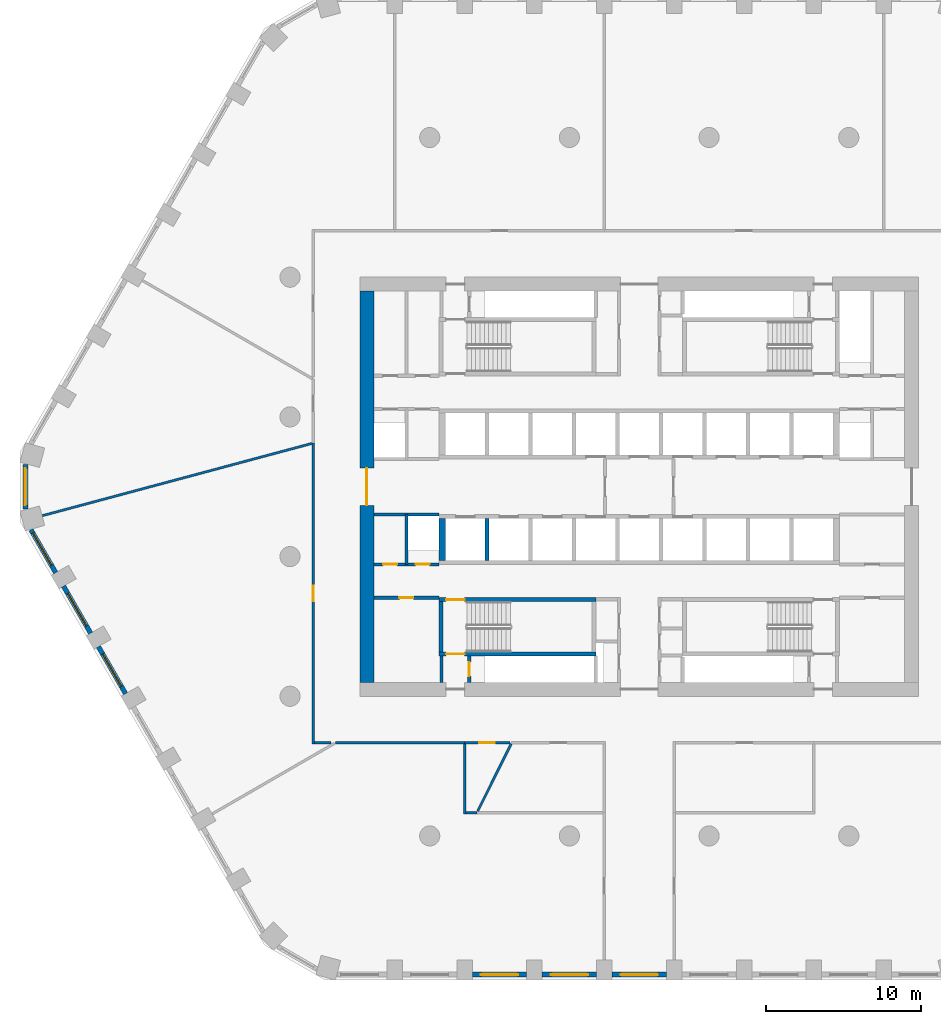
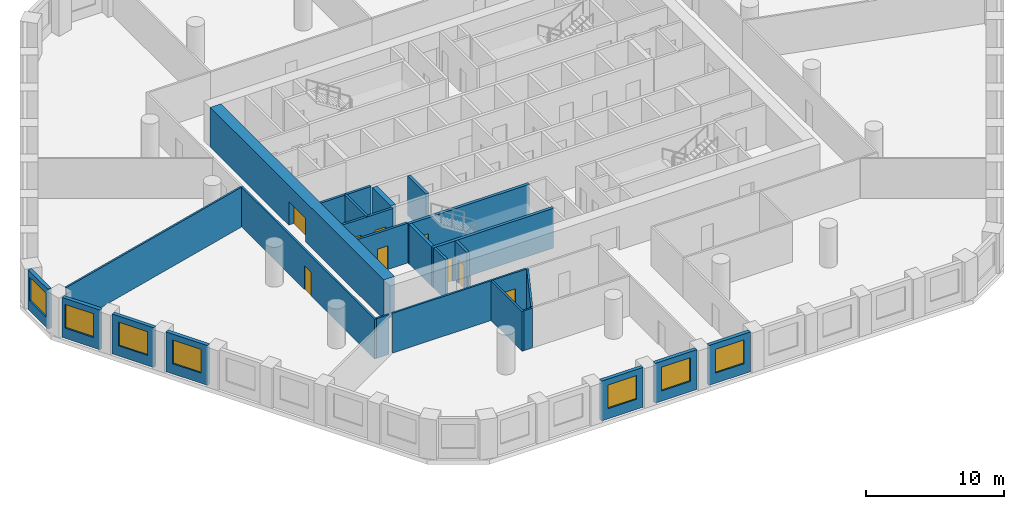
# One storey, part 2 of 9: 27 walls, 9 doors, 7 windows, 16 openings.
"""IFC4 building model written with IfcOpenShell, lengths in metres."""

from ifc_helpers import new_model, si_unit, direction, frame, frame_2d, origin, place, context, subcontext, project, spatial, polyline, rectangle, outline, extrude, material, layer, layer_set, type_object, element, fill, save


model = new_model("IFC4")

# Units and contexts
model_context = context("Model", 3, precision=1e-05, world=origin(), true_north=direction((0.0, 1.0)))
body_context = subcontext(model_context, "Body", "Model", "MODEL_VIEW")
ifc_project = project(units=[si_unit("LENGTHUNIT", "METRE"), si_unit("AREAUNIT", "SQUARE_METRE"), si_unit("VOLUMEUNIT", "CUBIC_METRE"), si_unit("PLANEANGLEUNIT", "RADIAN"), si_unit("MASSUNIT", "GRAM", prefix="KILO")], contexts=[model_context])

# Site, building, storey
site_placement = place(None, origin())
site = spatial("IfcSite", under=ifc_project, at=site_placement, CompositionType="ELEMENT")
building_placement = place(site_placement, origin())
building = spatial("IfcBuilding", under=site, at=building_placement, Name="Dhurran Vertical Campus", CompositionType="ELEMENT")
storey_placement = place(building_placement, frame((0.0, 0.0, 120.300048828125)))
storey = spatial("IfcBuildingStorey", under=building, at=storey_placement, Name="L29", CompositionType="ELEMENT", Elevation=120.300048828125)

# Wall, opening, window
ifc_material_1 = material(Name="Precast concrete C50/60", Category="concrete")
ifc_layer_1 = layer(ifc_material_1, 0.300048828125)
ifc_layer_set_1 = layer_set([ifc_layer_1], Name="Precast concrete C50/60")
wall_type_1 = type_object("IfcWallType", Name="Precast spandrel wall 300", PredefinedType="SOLIDWALL", material=ifc_layer_set_1)
wall_1_placement = place(storey_placement, frame((-10.74951171875, -31.4296875, 0.0), z_axis=(0.0, 0.0, 1.0), x_axis=(1.0, 0.0, 0.0)))
wall_1 = element("IfcWall", 1, at=wall_1_placement, inside=storey, type_object=wall_type_1, Name="EW1 L29.02", PredefinedType="SOLIDWALL", context=body_context, shape_type="SweptSolid", body=[
    extrude(rectangle(XDim=3.4990234375, YDim=0.300048828125, at=frame_2d((1.74951171875, 0.0))), origin(), (0.0, 0.0, 1.0), 3.52490234375),
])
opening_1_placement = place(wall_1_placement, frame((0.549560546875, 0.0, 0.89990234375)))
opening_1 = element("IfcOpeningElement", 2, at=opening_1_placement, cuts=wall_1, Name="Opening WT1", PredefinedType="OPENING", context=body_context, shape_type="SweptSolid", body=[
    extrude(rectangle(XDim=2.39990234375, YDim=2.10009765625, at=frame_2d((1.199951171875, 1.050048828125))), frame((0.0, 0.159912109375, 0.0), z_axis=(0.0, -1.0, 0.0), x_axis=(1.0, 0.0, 0.0)), (0.0, 0.0, 1.0), 0.320068359375),
])
ifc_material_2 = material(Name="Aluminium frame with solar-control glass", Category="aluminium")
window_type = type_object("IfcWindowType", Name="Punched window 2400 x 2100", PartitioningType="SINGLE_PANEL", PredefinedType="WINDOW", material=ifc_material_2)
window_1_placement = place(opening_1_placement, origin())
window_1 = element("IfcWindow", 3, at=window_1_placement, inside=storey, type_object=window_type, Name="WT1 L29.02", OverallHeight=2.10009765625, OverallWidth=2.39990234375, PartitioningType="SINGLE_PANEL", PredefinedType="WINDOW", context=body_context, shape_type="SweptSolid", body=[
    extrude(rectangle(XDim=2.39990234375, YDim=2.10009765625, at=frame_2d((1.199951171875, 1.050048828125))), frame((0.0, 0.030029296875, 0.0), z_axis=(0.0, -1.0, 0.0), x_axis=(1.0, 0.0, 0.0)), (0.0, 0.0, 1.0), 0.06005859375),
])
fill(opening_1, window_1)

wall_2_placement = place(storey_placement, frame((-6.24951171875, -31.4296875, 0.0), z_axis=(0.0, 0.0, 1.0), x_axis=(1.0, 0.0, 0.0)))
wall_2 = element("IfcWall", 4, at=wall_2_placement, inside=storey, type_object=wall_type_1, Name="EW1 L29.03", PredefinedType="SOLIDWALL", context=body_context, shape_type="SweptSolid", body=[
    extrude(rectangle(XDim=3.4990234375, YDim=0.300048828125, at=frame_2d((1.74951171875, 0.0))), origin(), (0.0, 0.0, 1.0), 3.52490234375),
])
opening_2_placement = place(wall_2_placement, frame((0.549560546875, 0.0, 0.89990234375)))
opening_2 = element("IfcOpeningElement", 5, at=opening_2_placement, cuts=wall_2, Name="Opening WT1", PredefinedType="OPENING", context=body_context, shape_type="SweptSolid", body=[
    extrude(rectangle(XDim=2.39990234375, YDim=2.10009765625, at=frame_2d((1.199951171875, 1.050048828125))), frame((0.0, 0.159912109375, 0.0), z_axis=(0.0, -1.0, 0.0), x_axis=(1.0, 0.0, 0.0)), (0.0, 0.0, 1.0), 0.320068359375),
])
window_2_placement = place(opening_2_placement, origin())
window_2 = element("IfcWindow", 6, at=window_2_placement, inside=storey, type_object=window_type, Name="WT1 L29.03", OverallHeight=2.10009765625, OverallWidth=2.39990234375, PartitioningType="SINGLE_PANEL", PredefinedType="WINDOW", context=body_context, shape_type="SweptSolid", body=[
    extrude(rectangle(XDim=2.39990234375, YDim=2.10009765625, at=frame_2d((1.199951171875, 1.050048828125))), frame((0.0, 0.030029296875, 0.0), z_axis=(0.0, -1.0, 0.0), x_axis=(1.0, 0.0, 0.0)), (0.0, 0.0, 1.0), 0.06005859375),
])
fill(opening_2, window_2)

wall_3_placement = place(storey_placement, frame((-1.74951171875, -31.4296875, 0.0), z_axis=(0.0, 0.0, 1.0), x_axis=(1.0, 0.0, 0.0)))
wall_3 = element("IfcWall", 7, at=wall_3_placement, inside=storey, type_object=wall_type_1, Name="EW1 L29.04", PredefinedType="SOLIDWALL", context=body_context, shape_type="SweptSolid", body=[
    extrude(rectangle(XDim=3.4990234375, YDim=0.300048828125, at=frame_2d((1.74951171875, 0.0))), origin(), (0.0, 0.0, 1.0), 3.52490234375),
])
opening_3_placement = place(wall_3_placement, frame((0.549560546875, 0.0, 0.89990234375)))
opening_3 = element("IfcOpeningElement", 8, at=opening_3_placement, cuts=wall_3, Name="Opening WT1", PredefinedType="OPENING", context=body_context, shape_type="SweptSolid", body=[
    extrude(rectangle(XDim=2.39990234375, YDim=2.10009765625, at=frame_2d((1.199951171875, 1.050048828125))), frame((0.0, 0.159912109375, 0.0), z_axis=(0.0, -1.0, 0.0), x_axis=(1.0, 0.0, 0.0)), (0.0, 0.0, 1.0), 0.320068359375),
])
window_3_placement = place(opening_3_placement, origin())
window_3 = element("IfcWindow", 9, at=window_3_placement, inside=storey, type_object=window_type, Name="WT1 L29.04", OverallHeight=2.10009765625, OverallWidth=2.39990234375, PartitioningType="SINGLE_PANEL", PredefinedType="WINDOW", context=body_context, shape_type="SweptSolid", body=[
    extrude(rectangle(XDim=2.39990234375, YDim=2.10009765625, at=frame_2d((1.199951171875, 1.050048828125))), frame((0.0, 0.030029296875, 0.0), z_axis=(0.0, -1.0, 0.0), x_axis=(1.0, 0.0, 0.0)), (0.0, 0.0, 1.0), 0.06005859375),
])
fill(opening_3, window_3)

wall_4_placement = place(storey_placement, frame((-39.547119140625, 1.44287109375, 0.0), z_axis=(0.0, 0.0, 1.0), x_axis=(0.0, -1.0, 0.0)))
wall_4 = element("IfcWall", 10, at=wall_4_placement, inside=storey, type_object=wall_type_1, Name="EW1 L29.43", PredefinedType="SOLIDWALL", context=body_context, shape_type="SweptSolid", body=[
    extrude(rectangle(XDim=2.8857421875, YDim=0.300048828125, at=frame_2d((1.44287109375, 0.0))), origin(), (0.0, 0.0, 1.0), 3.52490234375),
])
opening_4_placement = place(wall_4_placement, frame((0.242919921875, 0.0, 0.89990234375)))
opening_4 = element("IfcOpeningElement", 11, at=opening_4_placement, cuts=wall_4, Name="Opening WT1", PredefinedType="OPENING", context=body_context, shape_type="SweptSolid", body=[
    extrude(rectangle(XDim=2.39990234375, YDim=2.10009765625, at=frame_2d((1.199951171875, 1.050048828125))), frame((0.0, 0.159912109375, 0.0), z_axis=(0.0, -1.0, 0.0), x_axis=(1.0, 0.0, 0.0)), (0.0, 0.0, 1.0), 0.320068359375),
])
window_4_placement = place(opening_4_placement, origin())
window_4 = element("IfcWindow", 12, at=window_4_placement, inside=storey, type_object=window_type, Name="WT1 L29.43", OverallHeight=2.10009765625, OverallWidth=2.39990234375, PartitioningType="SINGLE_PANEL", PredefinedType="WINDOW", context=body_context, shape_type="SweptSolid", body=[
    extrude(rectangle(XDim=2.39990234375, YDim=2.10009765625, at=frame_2d((1.199951171875, 1.050048828125))), frame((0.0, 0.030029296875, 0.0), z_axis=(0.0, -1.0, 0.0), x_axis=(1.0, 0.0, 0.0)), (0.0, 0.0, 1.0), 0.06005859375),
])
fill(opening_4, window_4)

wall_5_placement = place(storey_placement, frame((-39.1904296875, -2.774169921875, 0.0), z_axis=(0.0, 0.0, 1.0), x_axis=(0.500004907028, -0.866022570692, 0.0)))
wall_5 = element("IfcWall", 13, at=wall_5_placement, inside=storey, type_object=wall_type_1, Name="EW1 L29.44", PredefinedType="SOLIDWALL", context=body_context, shape_type="SweptSolid", body=[
    extrude(rectangle(XDim=3.1923828125, YDim=0.300048828125, at=frame_2d((1.59619140625, 0.0))), origin(), (0.0, 0.0, 1.0), 3.52490234375),
])
opening_5_placement = place(wall_5_placement, frame((0.242919921875, 0.0, 0.89990234375)))
opening_5 = element("IfcOpeningElement", 14, at=opening_5_placement, cuts=wall_5, Name="Opening WT1", PredefinedType="OPENING", context=body_context, shape_type="SweptSolid", body=[
    extrude(rectangle(XDim=2.39990234375, YDim=2.10009765625, at=frame_2d((1.199951171875, 1.050048828125))), frame((0.0, 0.159912109375, 0.0), z_axis=(0.0, -1.0, 0.0), x_axis=(1.0, 0.0, 0.0)), (0.0, 0.0, 1.0), 0.320068359375),
])
window_5_placement = place(opening_5_placement, origin())
window_5 = element("IfcWindow", 15, at=window_5_placement, inside=storey, type_object=window_type, Name="WT1 L29.44", OverallHeight=2.10009765625, OverallWidth=2.39990234375, PartitioningType="SINGLE_PANEL", PredefinedType="WINDOW", context=body_context, shape_type="SweptSolid", body=[
    extrude(rectangle(XDim=2.39990234375, YDim=2.10009765625, at=frame_2d((1.199951171875, 1.050048828125))), frame((0.0, 0.030029296875, 0.0), z_axis=(0.0, -1.0, 0.0), x_axis=(1.0, 0.0, 0.0)), (0.0, 0.0, 1.0), 0.06005859375),
])
fill(opening_5, window_5)

wall_6_placement = place(storey_placement, frame((-37.09375, -6.405517578125, 0.0), z_axis=(0.0, 0.0, 1.0), x_axis=(0.499996256241, -0.866027565234, 0.0)))
wall_6 = element("IfcWall", 16, at=wall_6_placement, inside=storey, type_object=wall_type_1, Name="EW1 L29.45", PredefinedType="SOLIDWALL", context=body_context, shape_type="SweptSolid", body=[
    extrude(rectangle(XDim=3.4990234375, YDim=0.300048828125, at=frame_2d((1.74951171875, 0.0))), origin(), (0.0, 0.0, 1.0), 3.52490234375),
])
opening_6_placement = place(wall_6_placement, frame((0.549560546875, 0.0, 0.89990234375)))
opening_6 = element("IfcOpeningElement", 17, at=opening_6_placement, cuts=wall_6, Name="Opening WT1", PredefinedType="OPENING", context=body_context, shape_type="SweptSolid", body=[
    extrude(rectangle(XDim=2.39990234375, YDim=2.10009765625, at=frame_2d((1.199951171875, 1.050048828125))), frame((0.0, 0.159912109375, 0.0), z_axis=(0.0, -1.0, 0.0), x_axis=(1.0, 0.0, 0.0)), (0.0, 0.0, 1.0), 0.320068359375),
])
window_6_placement = place(opening_6_placement, origin())
window_6 = element("IfcWindow", 18, at=window_6_placement, inside=storey, type_object=window_type, Name="WT1 L29.45", OverallHeight=2.10009765625, OverallWidth=2.39990234375, PartitioningType="SINGLE_PANEL", PredefinedType="WINDOW", context=body_context, shape_type="SweptSolid", body=[
    extrude(rectangle(XDim=2.39990234375, YDim=2.10009765625, at=frame_2d((1.199951171875, 1.050048828125))), frame((0.0, 0.030029296875, 0.0), z_axis=(0.0, -1.0, 0.0), x_axis=(1.0, 0.0, 0.0)), (0.0, 0.0, 1.0), 0.06005859375),
])
fill(opening_6, window_6)

wall_7_placement = place(storey_placement, frame((-34.84375, -10.302734375, 0.0), z_axis=(0.0, 0.0, 1.0), x_axis=(0.499996256241, -0.866027565234, 0.0)))
wall_7 = element("IfcWall", 19, at=wall_7_placement, inside=storey, type_object=wall_type_1, Name="EW1 L29.46", PredefinedType="SOLIDWALL", context=body_context, shape_type="SweptSolid", body=[
    extrude(rectangle(XDim=3.4990234375, YDim=0.300048828125, at=frame_2d((1.74951171875, 0.0))), origin(), (0.0, 0.0, 1.0), 3.52490234375),
])
opening_7_placement = place(wall_7_placement, frame((0.549560546875, 0.0, 0.89990234375)))
opening_7 = element("IfcOpeningElement", 20, at=opening_7_placement, cuts=wall_7, Name="Opening WT1", PredefinedType="OPENING", context=body_context, shape_type="SweptSolid", body=[
    extrude(rectangle(XDim=2.39990234375, YDim=2.10009765625, at=frame_2d((1.199951171875, 1.050048828125))), frame((0.0, 0.159912109375, 0.0), z_axis=(0.0, -1.0, 0.0), x_axis=(1.0, 0.0, 0.0)), (0.0, 0.0, 1.0), 0.320068359375),
])
window_7_placement = place(opening_7_placement, origin())
window_7 = element("IfcWindow", 21, at=window_7_placement, inside=storey, type_object=window_type, Name="WT1 L29.46", OverallHeight=2.10009765625, OverallWidth=2.39990234375, PartitioningType="SINGLE_PANEL", PredefinedType="WINDOW", context=body_context, shape_type="SweptSolid", body=[
    extrude(rectangle(XDim=2.39990234375, YDim=2.10009765625, at=frame_2d((1.199951171875, 1.050048828125))), frame((0.0, 0.030029296875, 0.0), z_axis=(0.0, -1.0, 0.0), x_axis=(1.0, 0.0, 0.0)), (0.0, 0.0, 1.0), 0.06005859375),
])
fill(opening_7, window_7)

# Wall, opening, door
ifc_material_3 = material(Name="Concrete C60/75", Category="concrete")
ifc_layer_2 = layer(ifc_material_3, 0.89990234375)
ifc_layer_set_2 = layer_set([ifc_layer_2], Name="Concrete C60/75")
wall_type_2 = type_object("IfcWallType", Name="co-CORE-WALL-C0-900", PredefinedType="SHEAR", material=ifc_layer_set_2)
wall_8_placement = place(storey_placement, frame((-17.550048828125, -12.60009765625, 0.0), z_axis=(0.0, 0.0, 1.0), x_axis=(0.0, 1.0, 0.0)))
wall_8 = element("IfcWall", 22, at=wall_8_placement, inside=storey, type_object=wall_type_2, Name="Core wall W L29", PredefinedType="SHEAR", context=body_context, shape_type="SweptSolid", body=[
    extrude(rectangle(XDim=25.2001953125, YDim=0.89990234375, at=frame_2d((12.60009765625, 0.0))), origin(), (0.0, 0.0, 1.0), 3.52490234375),
])
opening_8_placement = place(wall_8_placement, frame((11.39990234375, 0.0, 0.0)))
opening_8 = element("IfcOpeningElement", 23, at=opening_8_placement, cuts=wall_8, Name="Opening CL1", PredefinedType="OPENING", context=body_context, shape_type="SweptSolid", body=[
    extrude(rectangle(XDim=2.39990234375, YDim=2.10009765625, at=frame_2d((1.199951171875, 1.050048828125))), frame((0.0, 0.4599609375, 0.0), z_axis=(0.0, -1.0, 0.0), x_axis=(1.0, 0.0, 0.0)), (0.0, 0.0, 1.0), 0.919921875),
])
ifc_material_4 = material(Name="Fire-rated glazed door set")
door_type_1 = type_object("IfcDoorType", Name="co-D-LOBBY 2400x2100", OperationType="DOUBLE_DOOR_DOUBLE_SWING", PredefinedType="DOOR", material=ifc_material_4)
door_1_placement = place(opening_8_placement, origin())
door_1 = element("IfcDoor", 24, at=door_1_placement, inside=storey, type_object=door_type_1, Name="Lift lobby door W L29", OperationType="DOUBLE_DOOR_DOUBLE_SWING", OverallHeight=2.10009765625, OverallWidth=2.39990234375, PredefinedType="DOOR", context=body_context, shape_type="SweptSolid", body=[
    extrude(rectangle(XDim=2.39990234375, YDim=2.10009765625, at=frame_2d((1.199951171875, 1.050048828125))), frame((0.0, 0.02490234375, 0.0), z_axis=(0.0, -1.0, 0.0), x_axis=(1.0, 0.0, 0.0)), (0.0, 0.0, 1.0), 0.050048828125),
])
fill(opening_8, door_1)

# Wall
ifc_material_5 = material(Name="Fire-rated masonry blockwork", Category="masonry")
ifc_layer_3 = layer(ifc_material_5, 0.199951171875)
ifc_layer_set_3 = layer_set([ifc_layer_3], Name="Fire-rated masonry blockwork")
wall_type_3 = type_object("IfcWallType", Name="co-FIRE-PARTITION-200", PredefinedType="PARTITIONING", material=ifc_layer_set_3)
wall_9_placement = place(storey_placement, frame((-12.75, -12.60009765625, 0.0), z_axis=(0.0, 0.0, 1.0), x_axis=(0.0, 1.0, 0.0)))
element("IfcWall", 25, at=wall_9_placement, inside=storey, type_object=wall_type_3, Name="Core partition pass-ST3-o L29", PredefinedType="PARTITIONING", context=body_context, shape_type="SweptSolid", body=[
    extrude(rectangle(XDim=1.7001953125, YDim=0.199951171875, at=frame_2d((0.85009765625, 0.0))), origin(), (0.0, 0.0, 1.0), 3.52490234375),
])

# Wall, opening, door
wall_10_placement = place(storey_placement, frame((-10.949951171875, -12.60009765625, 0.0), z_axis=(0.0, 0.0, 1.0), x_axis=(0.0, 1.0, 0.0)))
wall_10 = element("IfcWall", 26, at=wall_10_placement, inside=storey, type_object=wall_type_3, Name="Core partition pass-ST3-i L29", PredefinedType="PARTITIONING", context=body_context, shape_type="SweptSolid", body=[
    extrude(rectangle(XDim=1.7001953125, YDim=0.199951171875, at=frame_2d((0.85009765625, 0.0))), origin(), (0.0, 0.0, 1.0), 3.52490234375),
])
opening_9_placement = place(wall_10_placement, frame((0.39990234375, 0.0, 0.0)))
opening_9 = element("IfcOpeningElement", 27, at=opening_9_placement, cuts=wall_10, Name="Opening T08-C11", PredefinedType="OPENING", context=body_context, shape_type="SweptSolid", body=[
    extrude(rectangle(XDim=0.89990234375, YDim=2.10009765625, at=frame_2d((0.449951171875, 1.050048828125))), frame((0.0, 0.10986328125, 0.0), z_axis=(0.0, -1.0, 0.0), x_axis=(1.0, 0.0, 0.0)), (0.0, 0.0, 1.0), 0.219970703125),
])
ifc_material_6 = material(Name="Fire-rated timber door set", Category="wood")
door_type_2 = type_object("IfcDoorType", Name="co-D-ROOM 900x2100", OperationType="SINGLE_SWING_LEFT", PredefinedType="DOOR", material=ifc_material_6)
door_2_placement = place(opening_9_placement, origin())
door_2 = element("IfcDoor", 28, at=door_2_placement, inside=storey, type_object=door_type_2, Name="Riser room door L29", OperationType="SINGLE_SWING_LEFT", OverallHeight=2.10009765625, OverallWidth=0.89990234375, PredefinedType="DOOR", context=body_context, shape_type="SweptSolid", body=[
    extrude(rectangle(XDim=0.89990234375, YDim=2.10009765625, at=frame_2d((0.449951171875, 1.050048828125))), frame((0.0, 0.02490234375, 0.0), z_axis=(0.0, -1.0, 0.0), x_axis=(1.0, 0.0, 0.0)), (0.0, 0.0, 1.0), 0.050048828125),
])
fill(opening_9, door_2)

wall_11_placement = place(storey_placement, frame((-17.10009765625, -7.14990234375, 0.0), z_axis=(0.0, 0.0, 1.0), x_axis=(1.0, 0.0, 0.0)))
wall_11 = element("IfcWall", 29, at=wall_11_placement, inside=storey, type_object=wall_type_3, Name="Core partition en-SW-w L29", PredefinedType="PARTITIONING", context=body_context, shape_type="SweptSolid", body=[
    extrude(rectangle(XDim=4.2001953125, YDim=0.199951171875, at=frame_2d((2.10009765625, 0.0))), origin(), (0.0, 0.0, 1.0), 3.52490234375),
])
opening_10_placement = place(wall_11_placement, frame((1.64990234375, 0.0, 0.0)))
opening_10 = element("IfcOpeningElement", 30, at=opening_10_placement, cuts=wall_11, Name="Opening T08-C21", PredefinedType="OPENING", context=body_context, shape_type="SweptSolid", body=[
    extrude(rectangle(XDim=0.89990234375, YDim=2.10009765625, at=frame_2d((0.449951171875, 1.050048828125))), frame((0.0, 0.10986328125, 0.0), z_axis=(0.0, -1.0, 0.0), x_axis=(1.0, 0.0, 0.0)), (0.0, 0.0, 1.0), 0.219970703125),
])
door_3_placement = place(opening_10_placement, origin())
door_3 = element("IfcDoor", 31, at=door_3_placement, inside=storey, type_object=door_type_2, Name="Waste room door L29", OperationType="SINGLE_SWING_LEFT", OverallHeight=2.10009765625, OverallWidth=0.89990234375, PredefinedType="DOOR", context=body_context, shape_type="SweptSolid", body=[
    extrude(rectangle(XDim=0.89990234375, YDim=2.10009765625, at=frame_2d((0.449951171875, 1.050048828125))), frame((0.0, 0.02490234375, 0.0), z_axis=(0.0, -1.0, 0.0), x_axis=(1.0, 0.0, 0.0)), (0.0, 0.0, 1.0), 0.050048828125),
])
fill(opening_10, door_3)

# Wall
wall_12_placement = place(storey_placement, frame((-15.0, -5.0, 0.0), z_axis=(0.0, 0.0, 1.0), x_axis=(0.0, 1.0, 0.0)))
element("IfcWall", 32, at=wall_12_placement, inside=storey, type_object=wall_type_3, Name="Core partition es-SW-cut0 L29", PredefinedType="PARTITIONING", context=body_context, shape_type="SweptSolid", body=[
    extrude(rectangle(XDim=3.199951171875, YDim=0.199951171875, at=frame_2d((1.60009765625, 0.0))), origin(), (0.0, 0.0, 1.0), 3.52490234375),
])

# Wall, openings, doors
wall_13_placement = place(storey_placement, frame((-17.10009765625, -5.0, 0.0), z_axis=(0.0, 0.0, 1.0), x_axis=(1.0, 0.0, 0.0)))
wall_13 = element("IfcWall", 33, at=wall_13_placement, inside=storey, type_object=wall_type_3, Name="Core partition es-SW-w L29", PredefinedType="PARTITIONING", context=body_context, shape_type="SweptSolid", body=[
    extrude(rectangle(XDim=4.2001953125, YDim=0.199951171875, at=frame_2d((2.10009765625, 0.0))), origin(), (0.0, 0.0, 1.0), 3.52490234375),
])
opening_11_placement = place(wall_13_placement, frame((0.60009765625, 0.0, 0.0)))
opening_11 = element("IfcOpeningElement", 34, at=opening_11_placement, cuts=wall_13, Name="Opening T08-C22", PredefinedType="OPENING", context=body_context, shape_type="SweptSolid", body=[
    extrude(rectangle(XDim=0.89990234375, YDim=2.10009765625, at=frame_2d((0.449951171875, 1.050048828125))), frame((0.0, 0.10986328125, 0.0), z_axis=(0.0, -1.0, 0.0), x_axis=(1.0, 0.0, 0.0)), (0.0, 0.0, 1.0), 0.219970703125),
])
opening_12_placement = place(wall_13_placement, frame((2.699951171875, 0.0, 0.0)))
opening_12 = element("IfcOpeningElement", 35, at=opening_12_placement, cuts=wall_13, Name="Opening T08-C23", PredefinedType="OPENING", context=body_context, shape_type="SweptSolid", body=[
    extrude(rectangle(XDim=0.89990234375, YDim=2.10009765625, at=frame_2d((0.449951171875, 1.050048828125))), frame((0.0, 0.10986328125, 0.0), z_axis=(0.0, -1.0, 0.0), x_axis=(1.0, 0.0, 0.0)), (0.0, 0.0, 1.0), 0.219970703125),
])
door_4_placement = place(opening_11_placement, origin())
door_4 = element("IfcDoor", 36, at=door_4_placement, inside=storey, type_object=door_type_2, Name="Communications room door L29", OperationType="SINGLE_SWING_LEFT", OverallHeight=2.10009765625, OverallWidth=0.89990234375, PredefinedType="DOOR", context=body_context, shape_type="SweptSolid", body=[
    extrude(rectangle(XDim=0.89990234375, YDim=2.10009765625, at=frame_2d((0.449951171875, 1.050048828125))), frame((0.0, 0.02490234375, 0.0), z_axis=(0.0, -1.0, 0.0), x_axis=(1.0, 0.0, 0.0)), (0.0, 0.0, 1.0), 0.050048828125),
])
fill(opening_11, door_4)
door_5_placement = place(opening_12_placement, origin())
door_5 = element("IfcDoor", 37, at=door_5_placement, inside=storey, type_object=door_type_2, Name="Electrical riser door L29", OperationType="SINGLE_SWING_LEFT", OverallHeight=2.10009765625, OverallWidth=0.89990234375, PredefinedType="DOOR", context=body_context, shape_type="SweptSolid", body=[
    extrude(rectangle(XDim=0.89990234375, YDim=2.10009765625, at=frame_2d((0.449951171875, 1.050048828125))), frame((0.0, 0.02490234375, 0.0), z_axis=(0.0, -1.0, 0.0), x_axis=(1.0, 0.0, 0.0)), (0.0, 0.0, 1.0), 0.050048828125),
])
fill(opening_12, door_5)

# Walls
wall_14_placement = place(storey_placement, frame((-17.10009765625, -1.800048828125, 0.0), z_axis=(0.0, 0.0, 1.0), x_axis=(1.0, 0.0, 0.0)))
element("IfcWall", 38, at=wall_14_placement, inside=storey, type_object=wall_type_3, Name="Core partition es-SW-l L29", PredefinedType="PARTITIONING", context=body_context, shape_type="SweptSolid", body=[
    extrude(rectangle(XDim=4.2001953125, YDim=0.199951171875, at=frame_2d((2.10009765625, 0.0))), origin(), (0.0, 0.0, 1.0), 3.52490234375),
])
ifc_material_7 = material(Name="Concrete C50/60", Category="concrete")
ifc_layer_4 = layer(ifc_material_7, 0.25)
ifc_layer_set_4 = layer_set([ifc_layer_4], Name="Concrete C50/60")
wall_type_4 = type_object("IfcWallType", Name="co-SHAFT-MASS-250", PredefinedType="SHEAR", material=ifc_layer_set_4)
wall_15_placement = place(storey_placement, origin())
element("IfcWall", 39, at=wall_15_placement, inside=storey, type_object=wall_type_4, Name="Lift shaft wall S L29 2", PredefinedType="SHEAR", context=body_context, shape_type="SweptSolid", body=[
    extrude(outline(polyline([(-12.89990234375, -4.75), (-12.47509765625, -4.75), (-12.47509765625, -2.050048828125), (-12.89990234375, -2.050048828125), (-12.89990234375, -4.75)])), origin(), (0.0, 0.0, 1.0), 3.52490234375),
])
wall_16_placement = place(storey_placement, origin())
element("IfcWall", 40, at=wall_16_placement, inside=storey, type_object=wall_type_4, Name="Lift shaft wall S L29 3", PredefinedType="SHEAR", context=body_context, shape_type="SweptSolid", body=[
    extrude(outline(polyline([(-9.925048828125, -4.75), (-9.675048828125, -4.75), (-9.675048828125, -2.050048828125), (-9.925048828125, -2.050048828125), (-9.925048828125, -4.75)])), origin(), (0.0, 0.0, 1.0), 3.52490234375),
])

# Wall, opening, door
ifc_material_8 = material(Name="Concrete C40/50", Category="concrete")
ifc_layer_5 = layer(ifc_material_8, 0.25)
ifc_layer_set_5 = layer_set([ifc_layer_5], Name="Concrete C40/50")
wall_type_5 = type_object("IfcWallType", Name="co-STAIR-WALL-250", PredefinedType="SHEAR", material=ifc_layer_set_5)
wall_17_placement = place(storey_placement, frame((-12.89990234375, -10.77490234375, 0.0), z_axis=(0.0, 0.0, 1.0), x_axis=(1.0, 0.0, 0.0)))
wall_17 = element("IfcWall", 41, at=wall_17_placement, inside=storey, type_object=wall_type_5, Name="Stair ST3 enclosure wall L29", PredefinedType="SHEAR", context=body_context, shape_type="SweptSolid", body=[
    extrude(rectangle(XDim=10.099853515625, YDim=0.25, at=frame_2d((5.0498046875, 0.0))), origin(), (0.0, 0.0, 1.0), 3.52490234375),
])
opening_13_placement = place(wall_17_placement, frame((0.449951171875, 0.0, 0.0)))
opening_13 = element("IfcOpeningElement", 42, at=opening_13_placement, cuts=wall_17, Name="Opening XS3", PredefinedType="OPENING", context=body_context, shape_type="SweptSolid", body=[
    extrude(rectangle(XDim=1.199951171875, YDim=2.10009765625, at=frame_2d((0.60009765625, 1.050048828125))), frame((0.0, 0.135009765625, 0.0), z_axis=(0.0, -1.0, 0.0), x_axis=(1.0, 0.0, 0.0)), (0.0, 0.0, 1.0), 0.27001953125),
])
ifc_material_9 = material(Name="Fire-rated steel door set", Category="steel")
door_type_3 = type_object("IfcDoorType", Name="co-D-STAIR-EXIT 1200x2100", OperationType="SINGLE_SWING_RIGHT", PredefinedType="DOOR", material=ifc_material_9)
door_6_placement = place(opening_13_placement, origin())
door_6 = element("IfcDoor", 43, at=door_6_placement, inside=storey, type_object=door_type_3, Name="Stair ST3 discharge door L29", OperationType="SINGLE_SWING_RIGHT", OverallHeight=2.10009765625, OverallWidth=1.199951171875, PredefinedType="DOOR", context=body_context, shape_type="SweptSolid", body=[
    extrude(rectangle(XDim=1.199951171875, YDim=2.10009765625, at=frame_2d((0.60009765625, 1.050048828125))), frame((0.0, 0.02490234375, 0.0), z_axis=(0.0, -1.0, 0.0), x_axis=(1.0, 0.0, 0.0)), (0.0, 0.0, 1.0), 0.050048828125),
])
fill(opening_13, door_6)

wall_18_placement = place(storey_placement, frame((-12.89990234375, -7.27490234375, 0.0), z_axis=(0.0, 0.0, 1.0), x_axis=(1.0, 0.0, 0.0)))
wall_18 = element("IfcWall", 44, at=wall_18_placement, inside=storey, type_object=wall_type_5, Name="Stair ST3 enclosure wall L29", PredefinedType="SHEAR", context=body_context, shape_type="SweptSolid", body=[
    extrude(rectangle(XDim=10.099853515625, YDim=0.25, at=frame_2d((5.0498046875, 0.0))), origin(), (0.0, 0.0, 1.0), 3.52490234375),
])
opening_14_placement = place(wall_18_placement, frame((0.449951171875, 0.0, 0.0)))
opening_14 = element("IfcOpeningElement", 45, at=opening_14_placement, cuts=wall_18, Name="Opening SD3", PredefinedType="OPENING", context=body_context, shape_type="SweptSolid", body=[
    extrude(rectangle(XDim=1.199951171875, YDim=2.10009765625, at=frame_2d((0.60009765625, 1.050048828125))), frame((0.0, 0.135009765625, 0.0), z_axis=(0.0, -1.0, 0.0), x_axis=(1.0, 0.0, 0.0)), (0.0, 0.0, 1.0), 0.27001953125),
])
ifc_material_10 = material(Name="Fire-rated steel door set", Category="steel")
door_type_4 = type_object("IfcDoorType", Name="co-D-STAIR 1200x2100", OperationType="SINGLE_SWING_LEFT", PredefinedType="DOOR", material=ifc_material_10)
door_7_placement = place(opening_14_placement, origin())
door_7 = element("IfcDoor", 46, at=door_7_placement, inside=storey, type_object=door_type_4, Name="Stair ST3 door L29", OperationType="SINGLE_SWING_LEFT", OverallHeight=2.10009765625, OverallWidth=1.199951171875, PredefinedType="DOOR", context=body_context, shape_type="SweptSolid", body=[
    extrude(rectangle(XDim=1.199951171875, YDim=2.10009765625, at=frame_2d((0.60009765625, 1.050048828125))), frame((0.0, 0.02490234375, 0.0), z_axis=(0.0, -1.0, 0.0), x_axis=(1.0, 0.0, 0.0)), (0.0, 0.0, 1.0), 0.050048828125),
])
fill(opening_14, door_7)

# Wall
wall_19_placement = place(storey_placement, frame((-12.77490234375, -10.64990234375, 0.0), z_axis=(0.0, 0.0, 1.0), x_axis=(0.0, 1.0, 0.0)))
element("IfcWall", 47, at=wall_19_placement, inside=storey, type_object=wall_type_5, Name="Stair ST3 enclosure wall L29", PredefinedType="SHEAR", context=body_context, shape_type="SweptSolid", body=[
    extrude(rectangle(XDim=3.25, YDim=0.25, at=frame_2d((1.625, 0.0))), origin(), (0.0, 0.0, 1.0), 3.52490234375),
])

# Wall, opening, door
ifc_material_11 = material(Name="Gypsum board corridor wall on steel studs", Category="steel")
ifc_layer_6 = layer(ifc_material_11, 0.14990234375)
ifc_layer_set_6 = layer_set([ifc_layer_6], Name="Gypsum board corridor wall on steel studs")
wall_type_6 = type_object("IfcWallType", Name="fl-CW-150 corridor wall", PredefinedType="PARTITIONING", material=ifc_layer_set_6)
wall_20_placement = place(storey_placement, frame((-21.0, 2.81298828125, 0.0), z_axis=(0.0, 0.0, 1.0), x_axis=(0.0, -1.0, 0.0)))
wall_20 = element("IfcWall", 48, at=wall_20_placement, inside=storey, type_object=wall_type_6, Name="Partition 29-04", PredefinedType="PARTITIONING", context=body_context, shape_type="SweptSolid", body=[
    extrude(rectangle(XDim=19.387939453125, YDim=0.14990234375, at=frame_2d((9.69384765625, 0.0))), origin(), (0.0, 0.0, 1.0), 3.52490234375),
])
opening_15_placement = place(wall_20_placement, frame((9.194091796875, 0.0, 0.0)))
opening_15 = element("IfcOpeningElement", 49, at=opening_15_placement, cuts=wall_20, Name="Opening T08.02", PredefinedType="OPENING", context=body_context, shape_type="SweptSolid", body=[
    extrude(rectangle(XDim=1.0, YDim=2.10009765625, at=frame_2d((0.5, 1.050048828125))), frame((0.0, 0.0849609375, 0.0), z_axis=(0.0, -1.0, 0.0), x_axis=(1.0, 0.0, 0.0)), (0.0, 0.0, 1.0), 0.169921875),
])
ifc_material_12 = material(Name="Solid-core timber door set, fire-rated", Category="wood")
door_type_5 = type_object("IfcDoorType", Name="fl-D-1000x2100", OperationType="SINGLE_SWING_LEFT", PredefinedType="DOOR", material=ifc_material_12)
door_8_placement = place(opening_15_placement, origin())
door_8 = element("IfcDoor", 50, at=door_8_placement, inside=storey, type_object=door_type_5, Name="Door 29.02", OperationType="SINGLE_SWING_RIGHT", OverallHeight=2.10009765625, OverallWidth=1.0, PredefinedType="DOOR", context=body_context, shape_type="SweptSolid", body=[
    extrude(rectangle(XDim=1.0, YDim=2.10009765625, at=frame_2d((0.5, 1.050048828125))), frame((0.0, 0.02490234375, 0.0), z_axis=(0.0, -1.0, 0.0), x_axis=(1.0, 0.0, 0.0)), (0.0, 0.0, 1.0), 0.050048828125),
])
fill(opening_15, door_8)

# Walls
wall_21_placement = place(storey_placement, frame((-20.925048828125, -16.5, 0.0), z_axis=(0.0, 0.0, 1.0), x_axis=(1.0, 0.0, 0.0)))
element("IfcWall", 51, at=wall_21_placement, inside=storey, type_object=wall_type_6, Name="Partition 29-05", PredefinedType="PARTITIONING", context=body_context, shape_type="SweptSolid", body=[
    extrude(rectangle(XDim=1.071044921875, YDim=0.14990234375, at=frame_2d((0.53564453125, 0.0))), origin(), (0.0, 0.0, 1.0), 3.52490234375),
])
wall_22_placement = place(storey_placement, frame((-19.5791015625, -16.5, 0.0), z_axis=(0.0, 0.0, 1.0), x_axis=(1.0, 0.0, 0.0)))
element("IfcWall", 52, at=wall_22_placement, inside=storey, type_object=wall_type_6, Name="Partition 29-09", PredefinedType="PARTITIONING", context=body_context, shape_type="SweptSolid", body=[
    extrude(rectangle(XDim=8.3291015625, YDim=0.14990234375, at=frame_2d((4.16455078125, 0.0))), origin(), (0.0, 0.0, 1.0), 3.52490234375),
])

# Wall, opening, door
wall_23_placement = place(storey_placement, frame((-11.25, -16.5, 0.0), z_axis=(0.0, 0.0, 1.0), x_axis=(1.0, 0.0, 0.0)))
wall_23 = element("IfcWall", 53, at=wall_23_placement, inside=storey, type_object=wall_type_6, Name="Partition 29-14", PredefinedType="PARTITIONING", context=body_context, shape_type="SweptSolid", body=[
    extrude(rectangle(XDim=2.912109375, YDim=0.14990234375, at=frame_2d((1.4560546875, 0.0))), origin(), (0.0, 0.0, 1.0), 3.52490234375),
])
opening_16_placement = place(wall_23_placement, frame((0.9560546875, 0.0, 0.0)))
opening_16 = element("IfcOpeningElement", 54, at=opening_16_placement, cuts=wall_23, Name="Opening T08.05", PredefinedType="OPENING", context=body_context, shape_type="SweptSolid", body=[
    extrude(rectangle(XDim=1.0, YDim=2.10009765625, at=frame_2d((0.5, 1.050048828125))), frame((0.0, 0.0849609375, 0.0), z_axis=(0.0, -1.0, 0.0), x_axis=(1.0, 0.0, 0.0)), (0.0, 0.0, 1.0), 0.169921875),
])
door_9_placement = place(opening_16_placement, origin())
door_9 = element("IfcDoor", 55, at=door_9_placement, inside=storey, type_object=door_type_5, Name="Door 29.05", OperationType="SINGLE_SWING_RIGHT", OverallHeight=2.10009765625, OverallWidth=1.0, PredefinedType="DOOR", context=body_context, shape_type="SweptSolid", body=[
    extrude(rectangle(XDim=1.0, YDim=2.10009765625, at=frame_2d((0.5, 1.050048828125))), frame((0.0, 0.02490234375, 0.0), z_axis=(0.0, -1.0, 0.0), x_axis=(1.0, 0.0, 0.0)), (0.0, 0.0, 1.0), 0.050048828125),
])
fill(opening_16, door_9)

# Walls
ifc_material_13 = material(Name="Gypsum board partition on steel studs", Category="steel")
ifc_layer_7 = layer(ifc_material_13, 0.14990234375)
ifc_layer_set_7 = layer_set([ifc_layer_7], Name="Gypsum board partition on steel studs")
wall_type_7 = type_object("IfcWallType", Name="fl-PW-150 fixed partition", PredefinedType="PARTITIONING", material=ifc_layer_set_7)
wall_24_placement = place(storey_placement, frame((-21.091796875, 2.788330078125, 0.0), z_axis=(0.0, 0.0, 1.0), x_axis=(-0.965925618712, -0.25881981979, 0.0)))
element("IfcWall", 56, at=wall_24_placement, inside=storey, type_object=wall_type_7, Name="Partition 29-01", PredefinedType="PARTITIONING", context=body_context, shape_type="SweptSolid", body=[
    extrude(rectangle(XDim=17.974365234375, YDim=0.14990234375, at=frame_2d((8.9873046875, 0.0))), origin(), (0.0, 0.0, 1.0), 3.52490234375),
])
wall_25_placement = place(storey_placement, frame((-11.25, -16.574951171875, 0.0), z_axis=(0.0, 0.0, 1.0), x_axis=(0.0, -1.0, 0.0)))
element("IfcWall", 57, at=wall_25_placement, inside=storey, type_object=wall_type_7, Name="Partition 29-12", PredefinedType="PARTITIONING", context=body_context, shape_type="SweptSolid", body=[
    extrude(rectangle(XDim=4.5, YDim=0.14990234375, at=frame_2d((2.25, 0.0))), origin(), (0.0, 0.0, 1.0), 3.52490234375),
])
wall_26_placement = place(storey_placement, frame((-11.175048828125, -21.0, 0.0), z_axis=(0.0, 0.0, 1.0), x_axis=(1.0, 0.0, 0.0)))
element("IfcWall", 58, at=wall_26_placement, inside=storey, type_object=wall_type_7, Name="Partition 29-13", PredefinedType="PARTITIONING", context=body_context, shape_type="SweptSolid", body=[
    extrude(rectangle(XDim=0.714111328125, YDim=0.14990234375, at=frame_2d((0.35693359375, 0.0))), origin(), (0.0, 0.0, 1.0), 3.52490234375),
])
wall_27_placement = place(storey_placement, frame((-8.25146484375, -16.567138671875, 0.0), z_axis=(0.0, 0.0, 1.0), x_axis=(-0.446101910457, -0.894982170486, 0.0)))
element("IfcWall", 59, at=wall_27_placement, inside=storey, type_object=wall_type_7, Name="Partition 29-15", PredefinedType="PARTITIONING", context=body_context, shape_type="SweptSolid", body=[
    extrude(rectangle(XDim=4.8330078125, YDim=0.14990234375, at=frame_2d((2.41650390625, 0.0))), origin(), (0.0, 0.0, 1.0), 3.52490234375),
])

save(model, "model.ifc")
